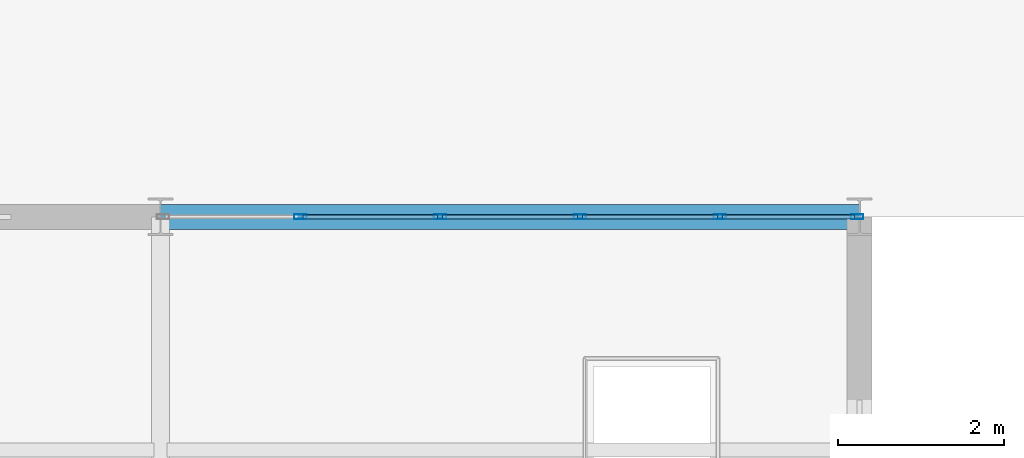
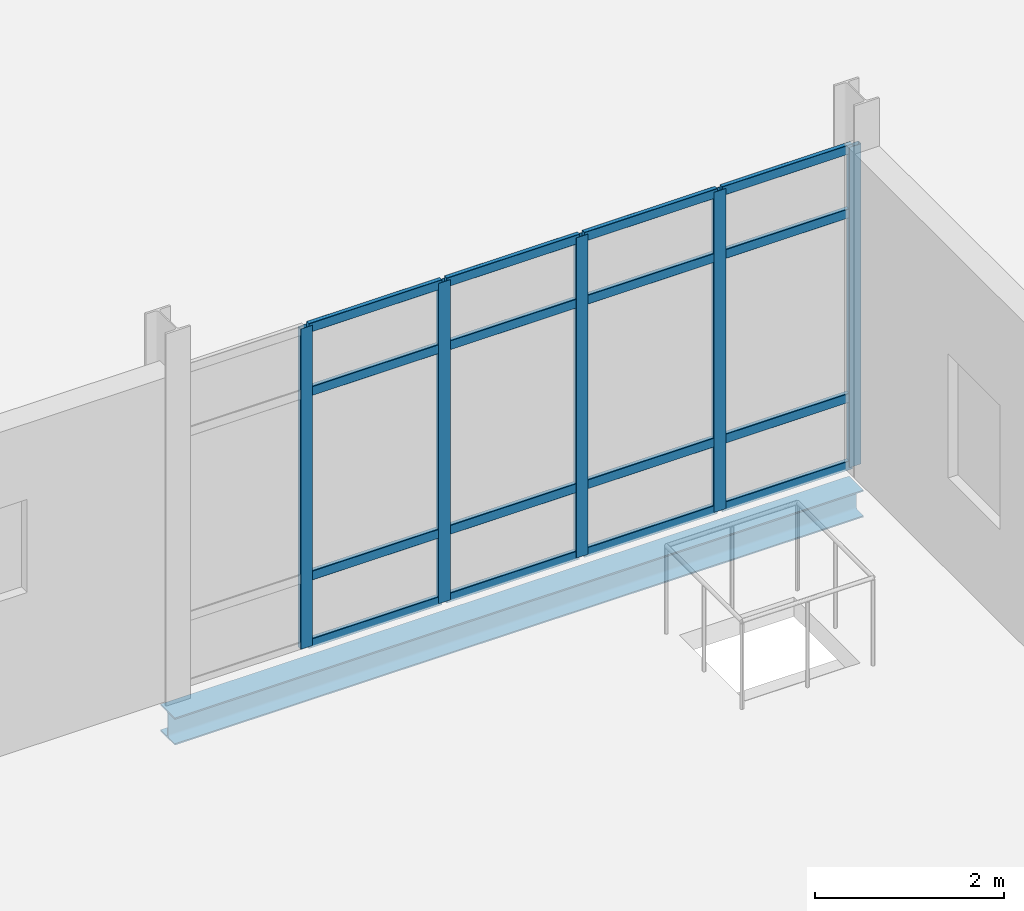
# One storey, part 104 of 145: 21 members, 1 beam, 1 element without a shape of its own.
"""IFC4 building model written with IfcOpenShell, lengths in metres."""

import ifcopenshell
import ifcopenshell.guid

model = None  # the IFC model being written
_history = None  # IfcOwnerHistory: only IFC2X3 demands one
_inside = {}  # id of a spatial element -> (the spatial element, [elements in it])
_under = {}  # id of a project, library or spatial element -> (it, [spatial elements below it])
_declared = {}  # id of a project -> (the project, [libraries it declares])
_typed = {}  # id of a type object -> (the type object, [elements of that type])
_made_of = {}  # id of a material, layer set ... -> (it, [elements and type objects made of it])


def new_model(schema):
    """Start an empty IFC model of exactly this schema.

    Asked for "IFC4X3", IfcOpenShell would pick the latest addendum, in which some entities
    have other attributes; the version numbers below select the first issue.
    IFC2X3 requires an IfcOwnerHistory on every rooted entity: one is made here for all.
    """
    global model, _history
    if schema == "IFC4X3":
        model = ifcopenshell.file(schema_version=(4, 3, 0, 0))
    else:
        model = ifcopenshell.file(schema=schema)
    _inside.clear()
    _under.clear()
    _declared.clear()
    _typed.clear()
    _made_of.clear()
    _history = None
    if model.schema == "IFC2X3":
        org = make("IfcOrganization", Name="unknown")
        user = make(
            "IfcPersonAndOrganization",
            ThePerson=make("IfcPerson", FamilyName="unknown"),
            TheOrganization=org,
        )
        app = make(
            "IfcApplication",
            ApplicationDeveloper=org,
            Version="unknown",
            ApplicationFullName="unknown",
            ApplicationIdentifier="unknown",
        )
        _history = make(
            "IfcOwnerHistory",
            OwningUser=user,
            OwningApplication=app,
            ChangeAction="ADDED",
            CreationDate=0,
        )
    return model


def make(cls, **values):
    """One entity of the class cls with the attributes given. An attribute that is None is left unset."""
    return model.create_entity(
        cls, **{name: value for name, value in values.items() if value is not None}
    )


def rooted(cls, **values):
    """An entity with a GlobalId (a new one), such as an element, a storey or a relation."""
    return make(cls, GlobalId=ifcopenshell.guid.new(), OwnerHistory=_history, **values)


def si_unit(unit_type, name, prefix=None):
    """IfcSIUnit, for example si_unit("LENGTHUNIT", "METRE", prefix="MILLI")."""
    return make("IfcSIUnit", UnitType=unit_type, Prefix=prefix, Name=name)


def assignment(units):
    """IfcUnitAssignment: the units of a project."""
    return None if units is None else make("IfcUnitAssignment", Units=units)


def point(xyz):
    """IfcCartesianPoint."""
    return None if xyz is None else make("IfcCartesianPoint", Coordinates=xyz)


def direction(xyz):
    """IfcDirection."""
    return None if xyz is None else make("IfcDirection", DirectionRatios=xyz)


def frame(location, z_axis=None, x_axis=None):
    """IfcAxis2Placement3D, a coordinate frame: its origin and axes. An axis left out is left unset."""
    return make(
        "IfcAxis2Placement3D",
        Location=point(location),
        Axis=direction(z_axis),
        RefDirection=direction(x_axis),
    )


def frame_2d(location, x_axis=None):
    """IfcAxis2Placement2D, a coordinate frame in the plane: its origin and x axis."""
    return make(
        "IfcAxis2Placement2D", Location=point(location), RefDirection=direction(x_axis)
    )


def origin():
    """The frame at (0, 0, 0) with its axes left unset."""
    return frame((0.0, 0.0, 0.0))


def origin_2d():
    """The frame at (0, 0) in the plane with its x axis left unset."""
    return frame_2d((0.0, 0.0))


def place(relative_to, where):
    """IfcLocalPlacement: puts the frame where relative to a parent placement (None: the world)."""
    return make(
        "IfcLocalPlacement", PlacementRelTo=relative_to, RelativePlacement=where
    )


def context(
    kind, dimensions, precision=None, world=None, true_north=None, identifier=None
):
    """IfcGeometricRepresentationContext, for example the 3D "Model" context."""
    return make(
        "IfcGeometricRepresentationContext",
        ContextIdentifier=identifier,
        ContextType=kind,
        CoordinateSpaceDimension=dimensions,
        Precision=precision,
        WorldCoordinateSystem=world,
        TrueNorth=true_north,
    )


def subcontext(parent, identifier, kind, view, scale=None):
    """IfcGeometricRepresentationSubContext, for example "Body" below "Model"."""
    return make(
        "IfcGeometricRepresentationSubContext",
        ContextIdentifier=identifier,
        ContextType=kind,
        ParentContext=parent,
        TargetScale=scale,
        TargetView=view,
    )


def project(units=None, contexts=None):
    """IfcProject with its units and contexts."""
    return rooted(
        "IfcProject",
        Name="project",
        RepresentationContexts=contexts,
        UnitsInContext=assignment(units),
    )


def spatial(cls, under=None, at=None, **own):
    """A site, building, storey or space (cls), placed at a placement, below another one or the project."""
    s = rooted(cls, ObjectPlacement=at, **own)
    if under is not None:
        _under.setdefault(under.id(), (under, []))[1].append(s)
    return s


def profile(cls, at=None, kind="AREA", **sizes):
    """A parametric profile (cls). Its sizes go by their IFC names, for example OverallWidth=200.0."""
    return make(cls, ProfileType=kind, Position=at, **sizes)


def hollow_rectangle(**sizes):
    """IfcRectangleHollowProfileDef."""
    return profile("IfcRectangleHollowProfileDef", **sizes)


def i_section(**sizes):
    """IfcIShapeProfileDef."""
    return profile("IfcIShapeProfileDef", **sizes)


def extrude(swept, where, along, depth):
    """IfcExtrudedAreaSolid: the profile swept, set in the frame where, extruded along a direction by depth."""
    return make(
        "IfcExtrudedAreaSolid",
        SweptArea=swept,
        Position=where,
        ExtrudedDirection=direction(along),
        Depth=depth,
    )


def shape(context_of_items, identifier, shape_type, items):
    """IfcShapeRepresentation: the items that make up one representation, for example the "Body"."""
    return make(
        "IfcShapeRepresentation",
        ContextOfItems=context_of_items,
        RepresentationIdentifier=identifier,
        RepresentationType=shape_type,
        Items=items,
    )


def material(Name=None, Category=None):
    """IfcMaterial."""
    return make("IfcMaterial", Name=Name, Category=Category)


def layer(
    of_material, thickness, ventilated=None, Name=None, Category=None, Priority=None
):
    """IfcMaterialLayer: one layer of a wall or slab, of a material (None: an air gap)."""
    return make(
        "IfcMaterialLayer",
        Material=of_material,
        LayerThickness=thickness,
        IsVentilated=ventilated,
        Name=Name,
        Category=Category,
        Priority=Priority,
    )


def layer_set(layers, Name=None):
    """IfcMaterialLayerSet."""
    return make("IfcMaterialLayerSet", MaterialLayers=layers, LayerSetName=Name)


def material_profile(
    of_material, cross_section, Name=None, Category=None, Priority=None
):
    """IfcMaterialProfile: a cross section and its material."""
    return make(
        "IfcMaterialProfile",
        Name=Name,
        Material=of_material,
        Profile=cross_section,
        Priority=Priority,
        Category=Category,
    )


def profile_set(profiles, Name=None, composite=None):
    """IfcMaterialProfileSet."""
    return make(
        "IfcMaterialProfileSet",
        Name=Name,
        MaterialProfiles=profiles,
        CompositeProfile=composite,
    )


def made_of(thing, what):
    """Note that an element or type object is made of a material, layer set ...; save() writes the relation."""
    if what is not None:
        _made_of.setdefault(what.id(), (what, []))[1].append(thing)
    return thing


def type_object(cls, material=None, **own):
    """A type object (cls), such as IfcWallType, which elements share."""
    return made_of(rooted(cls, **own), material)


def element(
    cls,
    number,
    at=None,
    inside=None,
    cuts=None,
    type_object=None,
    material=None,
    context=None,
    identifier="Body",
    shape_type=None,
    held_by="IfcProductDefinitionShape",
    body=None,
    shapes=None,
    **own,
):
    """One element of the class cls, such as IfcWall. Its Tag is "e" and its number.

    at: its placement. inside: the storey or other place that contains it. cuts: it is an
    opening in that element (IfcRelVoidsElement). A single representation is given by context,
    identifier, shape_type and body (its items); several are given by shapes. held_by: the class
    of the entity that holds the representations. save() writes the other relations.
    """
    e = rooted(cls, Tag="e%d" % number, ObjectPlacement=at, **own)
    if body is not None:
        shapes = [shape(context, identifier, shape_type, body)]
    if shapes is not None:
        e.Representation = make(held_by, Representations=shapes)
    if inside is not None:
        _inside.setdefault(inside.id(), (inside, []))[1].append(e)
    if cuts is not None:
        rooted(
            "IfcRelVoidsElement", RelatingBuildingElement=cuts, RelatedOpeningElement=e
        )
    if type_object is not None:
        _typed.setdefault(type_object.id(), (type_object, []))[1].append(e)
    return made_of(e, material)


def aggregate(whole, parts):
    """IfcRelAggregates: a whole, such as a stair, and the parts it consists of."""
    return rooted("IfcRelAggregates", RelatingObject=whole, RelatedObjects=parts)


def save(model, path):
    """Write the relations noted so far, then the file.

    IfcRelAggregates (storeys below a building ...), IfcRelContainedInSpatialStructure (elements
    in a storey), IfcRelDefinesByType, IfcRelAssociatesMaterial and IfcRelDeclares: one each for
    every whole, place, type object, material and project.
    """
    for whole, parts in _under.values():
        aggregate(whole, parts)
    for where, things in _inside.values():
        rooted(
            "IfcRelContainedInSpatialStructure",
            RelatedElements=things,
            RelatingStructure=where,
        )
    for kind, things in _typed.values():
        rooted("IfcRelDefinesByType", RelatedObjects=things, RelatingType=kind)
    for what, things in _made_of.values():
        rooted("IfcRelAssociatesMaterial", RelatedObjects=things, RelatingMaterial=what)
    for by, libraries in _declared.values():
        rooted("IfcRelDeclares", RelatingContext=by, RelatedDefinitions=libraries)
    model.write(path)


model = new_model("IFC4")

# Units and contexts
model_context = context("Model", 3, precision=1e-05, world=origin(), true_north=direction((0.0, 1.0)))
body_context = subcontext(model_context, "Body", "Model", "MODEL_VIEW")
ifc_project = project(units=[si_unit("LENGTHUNIT", "METRE"), si_unit("AREAUNIT", "SQUARE_METRE"), si_unit("VOLUMEUNIT", "CUBIC_METRE"), si_unit("PLANEANGLEUNIT", "RADIAN"), si_unit("MASSUNIT", "GRAM", prefix="KILO")], contexts=[model_context])

# Site, building, storey
site_placement = place(None, origin())
site = spatial("IfcSite", under=ifc_project, at=site_placement, CompositionType="ELEMENT")
building_placement = place(site_placement, origin())
building = spatial("IfcBuilding", under=site, at=building_placement, Name="Qalvenar Corner Mobility Hub", CompositionType="ELEMENT")
storey_placement = place(building_placement, origin())
storey = spatial("IfcBuildingStorey", under=building, at=storey_placement, Name="L00", CompositionType="ELEMENT", Elevation=0.0)

# Beam
ifc_material_1 = material(Name="Steel S355", Category="steel")
ifc_material_profile_1 = material_profile(ifc_material_1, i_section(OverallWidth=0.300048828125, OverallDepth=0.35009765625, WebThickness=0.010009765625, FlangeThickness=0.017578125, FilletRadius=0.027099609375, at=origin_2d()), Name="HEA360")
ifc_profile_set_1 = profile_set([ifc_material_profile_1], Name="Steel S355")
beam_type = type_object("IfcBeamType", Name="BM-SPN360", PredefinedType="SPANDREL", material=ifc_profile_set_1)
beam_placement = place(storey_placement, frame((159.60009765625, 50.39990234375, -0.425048828125), z_axis=(1.0, 0.0, 0.0), x_axis=(0.0, 1.0, 0.0)))
element("IfcBeam", 1, at=beam_placement, inside=storey, type_object=beam_type, Name="Primary Steel Girder GX-0296", PredefinedType="SPANDREL", context=body_context, shape_type="SweptSolid", body=[
    extrude(i_section(OverallWidth=0.300048828125, OverallDepth=0.35009765625, WebThickness=0.010009765625, FlangeThickness=0.017578125, FilletRadius=0.027099609375, at=origin_2d()), origin(), (0.0, 0.0, 1.0), 8.39990234375),
])

# Curtain wall, members
ifc_material_2 = material(Name="Anodised Aluminium and Low-E Glazing", Category="aluminium")
ifc_layer = layer(ifc_material_2, 0.14990234375)
ifc_layer_set = layer_set([ifc_layer], Name="Anodised Aluminium and Low-E Glazing")
curtain_wall_type = type_object("IfcCurtainWallType", Name="CW-WKS-84X44", PredefinedType="NOTDEFINED", material=ifc_layer_set)
curtain_wall_placement = place(storey_placement, origin())
curtain_wall = element("IfcCurtainWall", 2, at=curtain_wall_placement, inside=storey, type_object=curtain_wall_type, Name="Glazed Curtain Wall CW-V6-L00-N6", PredefinedType="NOTDEFINED")
ifc_material_3 = material(Name="Anodised Aluminium 6063-T6", Category="aluminium")
ifc_material_profile_2 = material_profile(ifc_material_3, hollow_rectangle(XDim=0.06005859375, YDim=0.14990234375, WallThickness=0.00390625, InnerFilletRadius=0.00390625, OuterFilletRadius=0.008056640625, at=origin_2d()), Name="RHS150x60x4")
ifc_profile_set_2 = profile_set([ifc_material_profile_2], Name="Anodised Aluminium 6063-T6")
member_type_1 = type_object("IfcMemberType", Name="CW-MUL150", PredefinedType="MULLION", material=ifc_profile_set_2)
member_1_placement = place(storey_placement, frame((167.969970703125, 50.39990234375, 0.0), z_axis=(0.0, 0.0, 1.0), x_axis=(0.0, -1.0, 0.0)))
member_1 = element("IfcMember", 3, at=member_1_placement, type_object=member_type_1, Name="CW-09 mullion 1", PredefinedType="MULLION", context=body_context, shape_type="SweptSolid", body=[
    extrude(hollow_rectangle(XDim=0.06005859375, YDim=0.14990234375, WallThickness=0.00390625, InnerFilletRadius=0.00390625, OuterFilletRadius=0.008056640625, at=origin_2d()), origin(), (0.0, 0.0, 1.0), 4.1298828125),
])
member_2_placement = place(storey_placement, frame((166.320068359375, 50.39990234375, 0.0), z_axis=(0.0, 0.0, 1.0), x_axis=(0.0, -1.0, 0.0)))
member_2 = element("IfcMember", 4, at=member_2_placement, type_object=member_type_1, Name="CW-09 mullion 2", PredefinedType="MULLION", context=body_context, shape_type="SweptSolid", body=[
    extrude(hollow_rectangle(XDim=0.06005859375, YDim=0.14990234375, WallThickness=0.00390625, InnerFilletRadius=0.00390625, OuterFilletRadius=0.008056640625, at=origin_2d()), origin(), (0.0, 0.0, 1.0), 4.1298828125),
])
member_3_placement = place(storey_placement, frame((164.639892578125, 50.39990234375, 0.0), z_axis=(0.0, 0.0, 1.0), x_axis=(0.0, -1.0, 0.0)))
member_3 = element("IfcMember", 5, at=member_3_placement, type_object=member_type_1, Name="CW-09 mullion 3", PredefinedType="MULLION", context=body_context, shape_type="SweptSolid", body=[
    extrude(hollow_rectangle(XDim=0.06005859375, YDim=0.14990234375, WallThickness=0.00390625, InnerFilletRadius=0.00390625, OuterFilletRadius=0.008056640625, at=origin_2d()), origin(), (0.0, 0.0, 1.0), 4.1298828125),
])
member_4_placement = place(storey_placement, frame((162.9599609375, 50.39990234375, 0.0), z_axis=(0.0, 0.0, 1.0), x_axis=(0.0, -1.0, 0.0)))
member_4 = element("IfcMember", 6, at=member_4_placement, type_object=member_type_1, Name="CW-09 mullion 4", PredefinedType="MULLION", context=body_context, shape_type="SweptSolid", body=[
    extrude(hollow_rectangle(XDim=0.06005859375, YDim=0.14990234375, WallThickness=0.00390625, InnerFilletRadius=0.00390625, OuterFilletRadius=0.008056640625, at=origin_2d()), origin(), (0.0, 0.0, 1.0), 4.1298828125),
])
member_5_placement = place(storey_placement, frame((161.280029296875, 50.39990234375, 0.0), z_axis=(0.0, 0.0, 1.0), x_axis=(0.0, -1.0, 0.0)))
member_5 = element("IfcMember", 7, at=member_5_placement, type_object=member_type_1, Name="CW-09 mullion 5", PredefinedType="MULLION", context=body_context, shape_type="SweptSolid", body=[
    extrude(hollow_rectangle(XDim=0.06005859375, YDim=0.14990234375, WallThickness=0.00390625, InnerFilletRadius=0.00390625, OuterFilletRadius=0.008056640625, at=origin_2d()), origin(), (0.0, 0.0, 1.0), 4.1298828125),
])
ifc_material_profile_3 = material_profile(ifc_material_3, hollow_rectangle(XDim=0.054931640625, YDim=0.1201171875, WallThickness=0.00341796875, InnerFilletRadius=0.00341796875, OuterFilletRadius=0.007080078125, at=origin_2d()), Name="RHS120x55x3.5")
ifc_profile_set_3 = profile_set([ifc_material_profile_3], Name="Anodised Aluminium 6063-T6")
member_type_2 = type_object("IfcMemberType", Name="CW-TRN120", PredefinedType="USERDEFINED", material=ifc_profile_set_3)
member_6_placement = place(storey_placement, frame((167.93994140625, 50.39990234375, 0.027587890625), z_axis=(-1.0, 0.0, 0.0), x_axis=(0.0, -1.0, 0.0)))
member_6 = element("IfcMember", 8, at=member_6_placement, type_object=member_type_2, Name="CW-09 transom 1.1", ObjectType="TRANSOM", PredefinedType="USERDEFINED", context=body_context, shape_type="SweptSolid", body=[
    extrude(hollow_rectangle(XDim=0.054931640625, YDim=0.1201171875, WallThickness=0.00341796875, InnerFilletRadius=0.00341796875, OuterFilletRadius=0.007080078125, at=origin_2d()), origin(), (0.0, 0.0, 1.0), 1.58984375),
])
member_7_placement = place(storey_placement, frame((167.93994140625, 50.39990234375, 0.89990234375), z_axis=(-1.0, 0.0, 0.0), x_axis=(0.0, -1.0, 0.0)))
member_7 = element("IfcMember", 9, at=member_7_placement, type_object=member_type_2, Name="CW-09 transom 1.2", ObjectType="TRANSOM", PredefinedType="USERDEFINED", context=body_context, shape_type="SweptSolid", body=[
    extrude(hollow_rectangle(XDim=0.054931640625, YDim=0.1201171875, WallThickness=0.00341796875, InnerFilletRadius=0.00341796875, OuterFilletRadius=0.007080078125, at=origin_2d()), origin(), (0.0, 0.0, 1.0), 1.58984375),
])
member_8_placement = place(storey_placement, frame((167.93994140625, 50.39990234375, 3.280029296875), z_axis=(-1.0, 0.0, 0.0), x_axis=(0.0, -1.0, 0.0)))
member_8 = element("IfcMember", 10, at=member_8_placement, type_object=member_type_2, Name="CW-09 transom 1.3", ObjectType="TRANSOM", PredefinedType="USERDEFINED", context=body_context, shape_type="SweptSolid", body=[
    extrude(hollow_rectangle(XDim=0.054931640625, YDim=0.1201171875, WallThickness=0.00341796875, InnerFilletRadius=0.00341796875, OuterFilletRadius=0.007080078125, at=origin_2d()), origin(), (0.0, 0.0, 1.0), 1.58984375),
])
member_9_placement = place(storey_placement, frame((167.93994140625, 50.39990234375, 4.1025390625), z_axis=(-1.0, 0.0, 0.0), x_axis=(0.0, -1.0, 0.0)))
member_9 = element("IfcMember", 11, at=member_9_placement, type_object=member_type_2, Name="CW-09 transom 1.4", ObjectType="TRANSOM", PredefinedType="USERDEFINED", context=body_context, shape_type="SweptSolid", body=[
    extrude(hollow_rectangle(XDim=0.054931640625, YDim=0.1201171875, WallThickness=0.00341796875, InnerFilletRadius=0.00341796875, OuterFilletRadius=0.007080078125, at=origin_2d()), origin(), (0.0, 0.0, 1.0), 1.58984375),
])
member_10_placement = place(storey_placement, frame((166.2900390625, 50.39990234375, 0.027587890625), z_axis=(-1.0, 0.0, 0.0), x_axis=(0.0, -1.0, 0.0)))
member_10 = element("IfcMember", 12, at=member_10_placement, type_object=member_type_2, Name="CW-09 transom 2.1", ObjectType="TRANSOM", PredefinedType="USERDEFINED", context=body_context, shape_type="SweptSolid", body=[
    extrude(hollow_rectangle(XDim=0.054931640625, YDim=0.1201171875, WallThickness=0.00341796875, InnerFilletRadius=0.00341796875, OuterFilletRadius=0.007080078125, at=origin_2d()), origin(), (0.0, 0.0, 1.0), 1.6201171875),
])
member_11_placement = place(storey_placement, frame((166.2900390625, 50.39990234375, 0.89990234375), z_axis=(-1.0, 0.0, 0.0), x_axis=(0.0, -1.0, 0.0)))
member_11 = element("IfcMember", 13, at=member_11_placement, type_object=member_type_2, Name="CW-09 transom 2.2", ObjectType="TRANSOM", PredefinedType="USERDEFINED", context=body_context, shape_type="SweptSolid", body=[
    extrude(hollow_rectangle(XDim=0.054931640625, YDim=0.1201171875, WallThickness=0.00341796875, InnerFilletRadius=0.00341796875, OuterFilletRadius=0.007080078125, at=origin_2d()), origin(), (0.0, 0.0, 1.0), 1.6201171875),
])
member_12_placement = place(storey_placement, frame((166.2900390625, 50.39990234375, 3.280029296875), z_axis=(-1.0, 0.0, 0.0), x_axis=(0.0, -1.0, 0.0)))
member_12 = element("IfcMember", 14, at=member_12_placement, type_object=member_type_2, Name="CW-09 transom 2.3", ObjectType="TRANSOM", PredefinedType="USERDEFINED", context=body_context, shape_type="SweptSolid", body=[
    extrude(hollow_rectangle(XDim=0.054931640625, YDim=0.1201171875, WallThickness=0.00341796875, InnerFilletRadius=0.00341796875, OuterFilletRadius=0.007080078125, at=origin_2d()), origin(), (0.0, 0.0, 1.0), 1.6201171875),
])
member_13_placement = place(storey_placement, frame((166.2900390625, 50.39990234375, 4.1025390625), z_axis=(-1.0, 0.0, 0.0), x_axis=(0.0, -1.0, 0.0)))
member_13 = element("IfcMember", 15, at=member_13_placement, type_object=member_type_2, Name="CW-09 transom 2.4", ObjectType="TRANSOM", PredefinedType="USERDEFINED", context=body_context, shape_type="SweptSolid", body=[
    extrude(hollow_rectangle(XDim=0.054931640625, YDim=0.1201171875, WallThickness=0.00341796875, InnerFilletRadius=0.00341796875, OuterFilletRadius=0.007080078125, at=origin_2d()), origin(), (0.0, 0.0, 1.0), 1.6201171875),
])
member_14_placement = place(storey_placement, frame((164.610107421875, 50.39990234375, 0.027587890625), z_axis=(-1.0, 0.0, 0.0), x_axis=(0.0, -1.0, 0.0)))
member_14 = element("IfcMember", 16, at=member_14_placement, type_object=member_type_2, Name="CW-09 transom 3.1", ObjectType="TRANSOM", PredefinedType="USERDEFINED", context=body_context, shape_type="SweptSolid", body=[
    extrude(hollow_rectangle(XDim=0.054931640625, YDim=0.1201171875, WallThickness=0.00341796875, InnerFilletRadius=0.00341796875, OuterFilletRadius=0.007080078125, at=origin_2d()), origin(), (0.0, 0.0, 1.0), 1.6201171875),
])
member_15_placement = place(storey_placement, frame((164.610107421875, 50.39990234375, 0.89990234375), z_axis=(-1.0, 0.0, 0.0), x_axis=(0.0, -1.0, 0.0)))
member_15 = element("IfcMember", 17, at=member_15_placement, type_object=member_type_2, Name="CW-09 transom 3.2", ObjectType="TRANSOM", PredefinedType="USERDEFINED", context=body_context, shape_type="SweptSolid", body=[
    extrude(hollow_rectangle(XDim=0.054931640625, YDim=0.1201171875, WallThickness=0.00341796875, InnerFilletRadius=0.00341796875, OuterFilletRadius=0.007080078125, at=origin_2d()), origin(), (0.0, 0.0, 1.0), 1.6201171875),
])
member_16_placement = place(storey_placement, frame((164.610107421875, 50.39990234375, 3.280029296875), z_axis=(-1.0, 0.0, 0.0), x_axis=(0.0, -1.0, 0.0)))
member_16 = element("IfcMember", 18, at=member_16_placement, type_object=member_type_2, Name="CW-09 transom 3.3", ObjectType="TRANSOM", PredefinedType="USERDEFINED", context=body_context, shape_type="SweptSolid", body=[
    extrude(hollow_rectangle(XDim=0.054931640625, YDim=0.1201171875, WallThickness=0.00341796875, InnerFilletRadius=0.00341796875, OuterFilletRadius=0.007080078125, at=origin_2d()), origin(), (0.0, 0.0, 1.0), 1.6201171875),
])
member_17_placement = place(storey_placement, frame((164.610107421875, 50.39990234375, 4.1025390625), z_axis=(-1.0, 0.0, 0.0), x_axis=(0.0, -1.0, 0.0)))
member_17 = element("IfcMember", 19, at=member_17_placement, type_object=member_type_2, Name="CW-09 transom 3.4", ObjectType="TRANSOM", PredefinedType="USERDEFINED", context=body_context, shape_type="SweptSolid", body=[
    extrude(hollow_rectangle(XDim=0.054931640625, YDim=0.1201171875, WallThickness=0.00341796875, InnerFilletRadius=0.00341796875, OuterFilletRadius=0.007080078125, at=origin_2d()), origin(), (0.0, 0.0, 1.0), 1.6201171875),
])
member_18_placement = place(storey_placement, frame((162.929931640625, 50.39990234375, 0.027587890625), z_axis=(-1.0, 0.0, 0.0), x_axis=(0.0, -1.0, 0.0)))
member_18 = element("IfcMember", 20, at=member_18_placement, type_object=member_type_2, Name="CW-09 transom 4.1", ObjectType="TRANSOM", PredefinedType="USERDEFINED", context=body_context, shape_type="SweptSolid", body=[
    extrude(hollow_rectangle(XDim=0.054931640625, YDim=0.1201171875, WallThickness=0.00341796875, InnerFilletRadius=0.00341796875, OuterFilletRadius=0.007080078125, at=origin_2d()), origin(), (0.0, 0.0, 1.0), 1.619873046875),
])
member_19_placement = place(storey_placement, frame((162.929931640625, 50.39990234375, 0.89990234375), z_axis=(-1.0, 0.0, 0.0), x_axis=(0.0, -1.0, 0.0)))
member_19 = element("IfcMember", 21, at=member_19_placement, type_object=member_type_2, Name="CW-09 transom 4.2", ObjectType="TRANSOM", PredefinedType="USERDEFINED", context=body_context, shape_type="SweptSolid", body=[
    extrude(hollow_rectangle(XDim=0.054931640625, YDim=0.1201171875, WallThickness=0.00341796875, InnerFilletRadius=0.00341796875, OuterFilletRadius=0.007080078125, at=origin_2d()), origin(), (0.0, 0.0, 1.0), 1.619873046875),
])
member_20_placement = place(storey_placement, frame((162.929931640625, 50.39990234375, 3.280029296875), z_axis=(-1.0, 0.0, 0.0), x_axis=(0.0, -1.0, 0.0)))
member_20 = element("IfcMember", 22, at=member_20_placement, type_object=member_type_2, Name="CW-09 transom 4.3", ObjectType="TRANSOM", PredefinedType="USERDEFINED", context=body_context, shape_type="SweptSolid", body=[
    extrude(hollow_rectangle(XDim=0.054931640625, YDim=0.1201171875, WallThickness=0.00341796875, InnerFilletRadius=0.00341796875, OuterFilletRadius=0.007080078125, at=origin_2d()), origin(), (0.0, 0.0, 1.0), 1.619873046875),
])
member_21_placement = place(storey_placement, frame((162.929931640625, 50.39990234375, 4.1025390625), z_axis=(-1.0, 0.0, 0.0), x_axis=(0.0, -1.0, 0.0)))
member_21 = element("IfcMember", 23, at=member_21_placement, type_object=member_type_2, Name="CW-09 transom 4.4", ObjectType="TRANSOM", PredefinedType="USERDEFINED", context=body_context, shape_type="SweptSolid", body=[
    extrude(hollow_rectangle(XDim=0.054931640625, YDim=0.1201171875, WallThickness=0.00341796875, InnerFilletRadius=0.00341796875, OuterFilletRadius=0.007080078125, at=origin_2d()), origin(), (0.0, 0.0, 1.0), 1.619873046875),
])
aggregate(curtain_wall, [member_1, member_2, member_3, member_4, member_5, member_6, member_7, member_8, member_9, member_10, member_11, member_12, member_13, member_14, member_15, member_16, member_17, member_18, member_19, member_20, member_21])

save(model, "model.ifc")
